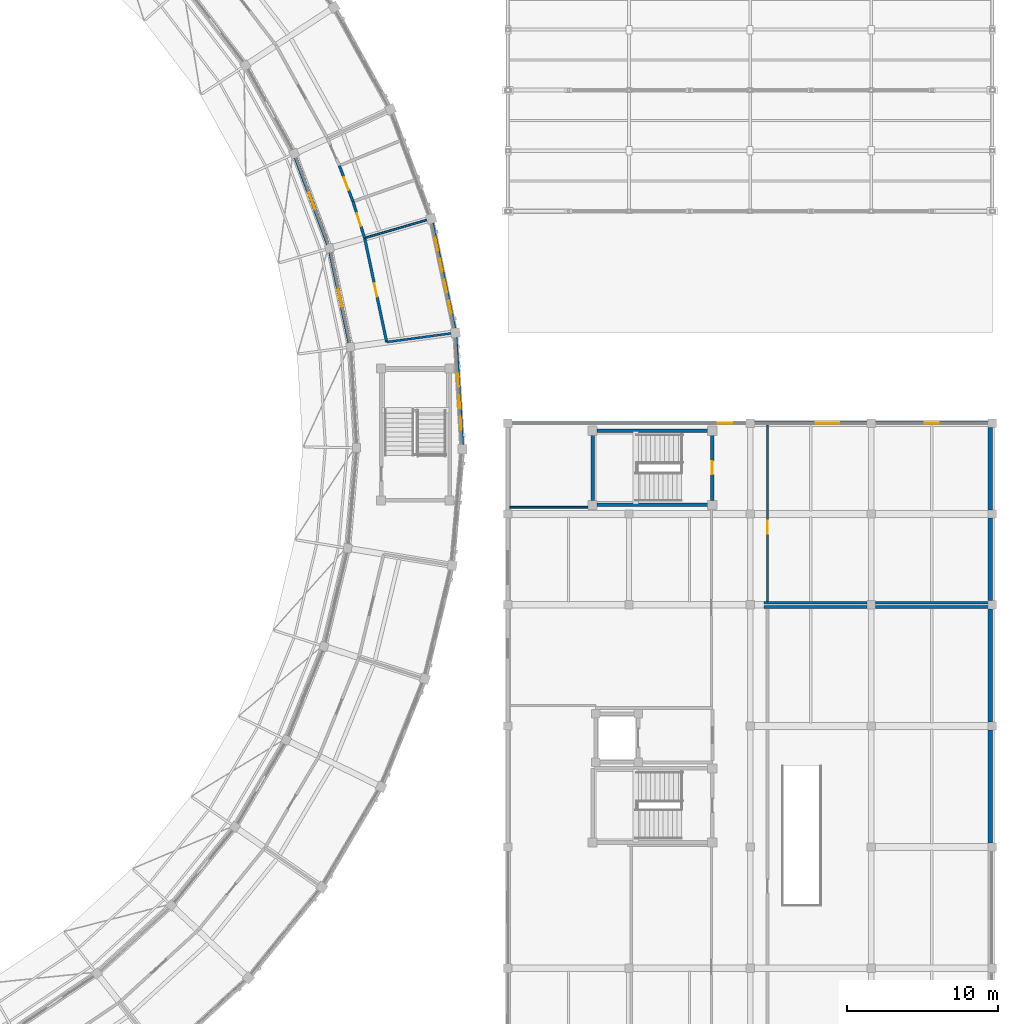
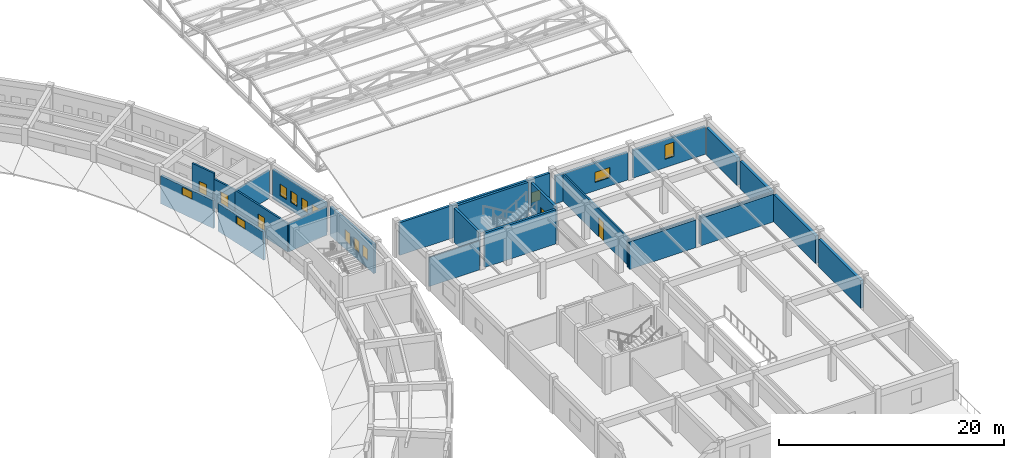
# One storey, part 92 of 112: 27 walls, 12 windows, 5 doors, 17 openings.
"""IFC4 building model written with IfcOpenShell, lengths in metres."""

from ifc_helpers import new_model, si_unit, direction, frame, frame_2d, origin, place, context, subcontext, project, spatial, rectangle, extrude, material, layer, layer_set, type_object, element, fill, save


model = new_model("IFC4")

# Units and contexts
model_context = context("Model", 3, precision=1e-05, world=origin(), true_north=direction((0.0, 1.0)))
body_context = subcontext(model_context, "Body", "Model", "MODEL_VIEW")
ifc_project = project(units=[si_unit("LENGTHUNIT", "METRE"), si_unit("AREAUNIT", "SQUARE_METRE"), si_unit("VOLUMEUNIT", "CUBIC_METRE"), si_unit("PLANEANGLEUNIT", "RADIAN"), si_unit("MASSUNIT", "GRAM", prefix="KILO")], contexts=[model_context])

# Site, building, storey
site_placement = place(None, origin())
site = spatial("IfcSite", under=ifc_project, at=site_placement, CompositionType="ELEMENT")
building_placement = place(site_placement, origin())
building = spatial("IfcBuilding", under=site, at=building_placement, Name="Celadon Cloister-Ring School", CompositionType="ELEMENT")
storey_placement = place(building_placement, frame((0.0, 0.0, 8.5)))
storey = spatial("IfcBuildingStorey", under=building, at=storey_placement, Name="L02", CompositionType="ELEMENT", Elevation=8.5)

# Wall, opening, window
ifc_material_1 = material(Name="Rendered concrete blockwork", Category="masonry")
ifc_layer_1 = layer(ifc_material_1, 0.239990234375)
ifc_layer_set_1 = layer_set([ifc_layer_1], Name="Rendered concrete blockwork")
wall_type_1 = type_object("IfcWallType", Name="WT-EX3", PredefinedType="SOLIDWALL", material=ifc_layer_set_1)
wall_1_placement = place(storey_placement, frame((131.534912109375, 65.31201171875, 0.0), z_axis=(0.0, 0.0, 1.0), x_axis=(-0.20720336534, 0.978297891949, 0.0)))
wall_1 = element("IfcWall", 1, at=wall_1_placement, inside=storey, type_object=wall_type_1, Name="Exterior Wall 0161", PredefinedType="SOLIDWALL", context=body_context, shape_type="SweptSolid", body=[
    extrude(rectangle(XDim=6.09521484375, YDim=0.239990234375, at=frame_2d((3.047607421875, 0.0))), origin(), (0.0, 0.0, 1.0), 3.050048828125),
])
opening_1_placement = place(wall_1_placement, frame((2.447998046875, 0.0, 2.050048828125)))
opening_1 = element("IfcOpeningElement", 2, at=opening_1_placement, cuts=wall_1, Name="Opening WN-49", PredefinedType="OPENING", context=body_context, shape_type="SweptSolid", body=[
    extrude(rectangle(XDim=1.199951171875, YDim=0.85009765625, at=frame_2d((0.60009765625, 0.425048828125))), frame((0.0, 0.1298828125, 0.0), z_axis=(0.0, -1.0, 0.0), x_axis=(1.0, 0.0, 0.0)), (0.0, 0.0, 1.0), 0.260009765625),
])
ifc_material_2 = material(Name="Tempered laminated insulating glass", Category="glass")
window_type_1 = type_object("IfcWindowType", Name="WN-49", PartitioningType="SINGLE_PANEL", PredefinedType="WINDOW", material=ifc_material_2)
window_1_placement = place(opening_1_placement, origin())
window_1 = element("IfcWindow", 3, at=window_1_placement, inside=storey, type_object=window_type_1, Name="Window 0416", OverallHeight=0.85009765625, OverallWidth=1.199951171875, PartitioningType="SINGLE_PANEL", PredefinedType="WINDOW", context=body_context, shape_type="SweptSolid", body=[
    extrude(rectangle(XDim=1.199951171875, YDim=0.85009765625, at=frame_2d((0.60009765625, 0.425048828125))), frame((0.0, 0.030029296875, 0.0), z_axis=(0.0, -1.0, 0.0), x_axis=(1.0, 0.0, 0.0)), (0.0, 0.0, 1.0), 0.06005859375),
])
fill(opening_1, window_1)

wall_2_placement = place(storey_placement, frame((130.113037109375, 71.823974609375, 0.0), z_axis=(0.0, 0.0, 1.0), x_axis=(-0.349489187494, 0.936940397157, 0.0)))
wall_2 = element("IfcWall", 4, at=wall_2_placement, inside=storey, type_object=wall_type_1, Name="Exterior Wall 0163", PredefinedType="SOLIDWALL", context=body_context, shape_type="SweptSolid", body=[
    extrude(rectangle(XDim=6.09228515625, YDim=0.239990234375, at=frame_2d((3.046142578125, 0.0))), origin(), (0.0, 0.0, 1.0), 3.050048828125),
])
opening_2_placement = place(wall_2_placement, frame((2.446044921875, 0.0, 2.050048828125)))
opening_2 = element("IfcOpeningElement", 5, at=opening_2_placement, cuts=wall_2, Name="Opening WN-49", PredefinedType="OPENING", context=body_context, shape_type="SweptSolid", body=[
    extrude(rectangle(XDim=1.199951171875, YDim=0.85009765625, at=frame_2d((0.60009765625, 0.425048828125))), frame((0.0, 0.1298828125, 0.0), z_axis=(0.0, -1.0, 0.0), x_axis=(1.0, 0.0, 0.0)), (0.0, 0.0, 1.0), 0.260009765625),
])
window_2_placement = place(opening_2_placement, origin())
window_2 = element("IfcWindow", 6, at=window_2_placement, inside=storey, type_object=window_type_1, Name="Window 0420", OverallHeight=0.85009765625, OverallWidth=1.199951171875, PartitioningType="SINGLE_PANEL", PredefinedType="WINDOW", context=body_context, shape_type="SweptSolid", body=[
    extrude(rectangle(XDim=1.199951171875, YDim=0.85009765625, at=frame_2d((0.60009765625, 0.425048828125))), frame((0.0, 0.030029296875, 0.0), z_axis=(0.0, -1.0, 0.0), x_axis=(1.0, 0.0, 0.0)), (0.0, 0.0, 1.0), 0.06005859375),
])
fill(opening_2, window_2)

# Wall
wall_3_placement = place(storey_placement, frame((142.277099609375, 60.0, 0.0), z_axis=(0.0, 0.0, 1.0), x_axis=(1.0, 0.0, 0.0)))
element("IfcWall", 7, at=wall_3_placement, inside=storey, type_object=wall_type_1, Name="Exterior Wall 0457", PredefinedType="SOLIDWALL", context=body_context, shape_type="SweptSolid", body=[
    extrude(rectangle(XDim=7.722900390625, YDim=0.239990234375, at=frame_2d((3.861328125, 0.0))), origin(), (0.0, 0.0, 1.0), 3.550048828125),
])

# Wall, opening, window
wall_4_placement = place(storey_placement, frame((150.0, 60.0, 0.0), z_axis=(0.0, 0.0, 1.0), x_axis=(1.0, 0.0, 0.0)))
wall_4 = element("IfcWall", 8, at=wall_4_placement, inside=storey, type_object=wall_type_1, Name="Exterior Wall 0458", PredefinedType="SOLIDWALL", context=body_context, shape_type="SweptSolid", body=[
    extrude(rectangle(XDim=7.722900390625, YDim=0.239990234375, at=frame_2d((3.861328125, 0.0))), origin(), (0.0, 0.0, 1.0), 3.550048828125),
])
opening_3_placement = place(wall_4_placement, frame((5.85791015625, 0.0, 0.89990234375)))
opening_3 = element("IfcOpeningElement", 9, at=opening_3_placement, cuts=wall_4, Name="Opening WN-02", PredefinedType="OPENING", context=body_context, shape_type="SweptSolid", body=[
    extrude(rectangle(XDim=0.949951171875, YDim=1.10009765625, at=frame_2d((0.47509765625, 0.550048828125))), frame((0.0, 0.1298828125, 0.0), z_axis=(0.0, -1.0, 0.0), x_axis=(1.0, 0.0, 0.0)), (0.0, 0.0, 1.0), 0.260009765625),
])
ifc_material_3 = material(Name="Tempered laminated insulating glass", Category="glass")
window_type_2 = type_object("IfcWindowType", Name="WN-02", PartitioningType="SINGLE_PANEL", PredefinedType="WINDOW", material=ifc_material_3)
window_3_placement = place(opening_3_placement, origin())
window_3 = element("IfcWindow", 10, at=window_3_placement, inside=storey, type_object=window_type_2, Name="Window 0983", OverallHeight=1.10009765625, OverallWidth=0.949951171875, PartitioningType="SINGLE_PANEL", PredefinedType="WINDOW", context=body_context, shape_type="SweptSolid", body=[
    extrude(rectangle(XDim=0.949951171875, YDim=1.10009765625, at=frame_2d((0.47509765625, 0.550048828125))), frame((0.0, 0.030029296875, 0.0), z_axis=(0.0, -1.0, 0.0), x_axis=(1.0, 0.0, 0.0)), (0.0, 0.0, 1.0), 0.06005859375),
])
fill(opening_3, window_3)

wall_5_placement = place(storey_placement, frame((158.277099609375, 60.0, 0.0), z_axis=(0.0, 0.0, 1.0), x_axis=(1.0, 0.0, 0.0)))
wall_5 = element("IfcWall", 11, at=wall_5_placement, inside=storey, type_object=wall_type_1, Name="Exterior Wall 0459", PredefinedType="SOLIDWALL", context=body_context, shape_type="SweptSolid", body=[
    extrude(rectangle(XDim=7.44580078125, YDim=0.239990234375, at=frame_2d((3.722900390625, 0.0))), origin(), (0.0, 0.0, 1.0), 3.001953125),
])
opening_4_placement = place(wall_5_placement, frame((4.06494140625, 0.0, 0.89990234375)))
opening_4 = element("IfcOpeningElement", 12, at=opening_4_placement, cuts=wall_5, Name="Opening WN-06", PredefinedType="OPENING", context=body_context, shape_type="SweptSolid", body=[
    extrude(rectangle(XDim=1.550048828125, YDim=1.10009765625, at=frame_2d((0.77490234375, 0.550048828125))), frame((0.0, 0.1298828125, 0.0), z_axis=(0.0, -1.0, 0.0), x_axis=(1.0, 0.0, 0.0)), (0.0, 0.0, 1.0), 0.260009765625),
])
ifc_material_4 = material(Name="Tempered laminated insulating glass", Category="glass")
window_type_3 = type_object("IfcWindowType", Name="WN-06", PartitioningType="DOUBLE_PANEL_VERTICAL", PredefinedType="WINDOW", material=ifc_material_4)
window_4_placement = place(opening_4_placement, origin())
window_4 = element("IfcWindow", 13, at=window_4_placement, inside=storey, type_object=window_type_3, Name="Window 0984", OverallHeight=1.10009765625, OverallWidth=1.550048828125, PartitioningType="SINGLE_PANEL", PredefinedType="WINDOW", context=body_context, shape_type="SweptSolid", body=[
    extrude(rectangle(XDim=1.550048828125, YDim=1.10009765625, at=frame_2d((0.77490234375, 0.550048828125))), frame((0.0, 0.030029296875, 0.0), z_axis=(0.0, -1.0, 0.0), x_axis=(1.0, 0.0, 0.0)), (0.0, 0.0, 1.0), 0.06005859375),
])
fill(opening_4, window_4)

wall_6_placement = place(storey_placement, frame((166.277099609375, 60.0, 0.0), z_axis=(0.0, 0.0, 1.0), x_axis=(1.0, 0.0, 0.0)))
wall_6 = element("IfcWall", 14, at=wall_6_placement, inside=storey, type_object=wall_type_1, Name="Exterior Wall 0460", PredefinedType="SOLIDWALL", context=body_context, shape_type="SweptSolid", body=[
    extrude(rectangle(XDim=7.44580078125, YDim=0.239990234375, at=frame_2d((3.722900390625, 0.0))), origin(), (0.0, 0.0, 1.0), 3.001953125),
])
opening_5_placement = place(wall_6_placement, frame((3.27294921875, 0.0, 0.89990234375)))
opening_5 = element("IfcOpeningElement", 15, at=opening_5_placement, cuts=wall_6, Name="Opening WN-31", PredefinedType="OPENING", context=body_context, shape_type="SweptSolid", body=[
    extrude(rectangle(XDim=0.89990234375, YDim=1.550048828125, at=frame_2d((0.449951171875, 0.77490234375))), frame((0.0, 0.1298828125, 0.0), z_axis=(0.0, -1.0, 0.0), x_axis=(1.0, 0.0, 0.0)), (0.0, 0.0, 1.0), 0.260009765625),
])
ifc_material_5 = material(Name="Tempered laminated insulating glass", Category="glass")
window_type_4 = type_object("IfcWindowType", Name="WN-31", PartitioningType="SINGLE_PANEL", PredefinedType="WINDOW", material=ifc_material_5)
window_5_placement = place(opening_5_placement, origin())
window_5 = element("IfcWindow", 16, at=window_5_placement, inside=storey, type_object=window_type_4, Name="Window 0985", OverallHeight=1.550048828125, OverallWidth=0.89990234375, PartitioningType="SINGLE_PANEL", PredefinedType="WINDOW", context=body_context, shape_type="SweptSolid", body=[
    extrude(rectangle(XDim=0.89990234375, YDim=1.550048828125, at=frame_2d((0.449951171875, 0.77490234375))), frame((0.0, 0.030029296875, 0.0), z_axis=(0.0, -1.0, 0.0), x_axis=(1.0, 0.0, 0.0)), (0.0, 0.0, 1.0), 0.06005859375),
])
fill(opening_5, window_5)

# Wall, openings, windows
ifc_material_6 = material(Name="Perforated terracotta clay brick masonry", Category="masonry")
ifc_layer_2 = layer(ifc_material_6, 0.219970703125)
ifc_layer_set_2 = layer_set([ifc_layer_2], Name="Perforated terracotta clay brick masonry")
wall_type_2 = type_object("IfcWallType", Name="WT-EX4", PredefinedType="SOLIDWALL", material=ifc_layer_set_2)
wall_7_placement = place(storey_placement, frame((138.550048828125, 65.660888671875, 0.0), z_axis=(0.0, 0.0, 1.0), x_axis=(0.060150575124, -0.998189314866, 0.0)))
wall_7 = element("IfcWall", 17, at=wall_7_placement, inside=storey, type_object=wall_type_2, Name="Exterior Wall 0158", PredefinedType="SOLIDWALL", context=body_context, shape_type="SweptSolid", body=[
    extrude(rectangle(XDim=7.082763671875, YDim=0.219970703125, at=frame_2d((3.54150390625, 0.0))), origin(), (0.0, 0.0, 1.0), 3.19189453125),
])
opening_6_placement = place(wall_7_placement, frame((2.407958984375, 0.0, 0.85009765625)))
opening_6 = element("IfcOpeningElement", 18, at=opening_6_placement, cuts=wall_7, Name="Opening WN-11", PredefinedType="OPENING", context=body_context, shape_type="SweptSolid", body=[
    extrude(rectangle(XDim=0.85009765625, YDim=1.25, at=frame_2d((0.425048828125, 0.625))), frame((0.0, 0.1201171875, 0.0), z_axis=(0.0, -1.0, 0.0), x_axis=(1.0, 0.0, 0.0)), (0.0, 0.0, 1.0), 0.239990234375),
])
opening_7_placement = place(wall_7_placement, frame((3.824951171875, 0.0, 0.85009765625)))
opening_7 = element("IfcOpeningElement", 19, at=opening_7_placement, cuts=wall_7, Name="Opening WN-11", PredefinedType="OPENING", context=body_context, shape_type="SweptSolid", body=[
    extrude(rectangle(XDim=0.85009765625, YDim=1.25, at=frame_2d((0.425048828125, 0.625))), frame((0.0, 0.1201171875, 0.0), z_axis=(0.0, -1.0, 0.0), x_axis=(1.0, 0.0, 0.0)), (0.0, 0.0, 1.0), 0.239990234375),
])
opening_8_placement = place(wall_7_placement, frame((5.240966796875, 0.0, 0.85009765625)))
opening_8 = element("IfcOpeningElement", 20, at=opening_8_placement, cuts=wall_7, Name="Opening WN-11", PredefinedType="OPENING", context=body_context, shape_type="SweptSolid", body=[
    extrude(rectangle(XDim=0.85009765625, YDim=1.25, at=frame_2d((0.425048828125, 0.625))), frame((0.0, 0.1201171875, 0.0), z_axis=(0.0, -1.0, 0.0), x_axis=(1.0, 0.0, 0.0)), (0.0, 0.0, 1.0), 0.239990234375),
])
ifc_material_7 = material(Name="Tempered laminated insulating glass", Category="glass")
window_type_5 = type_object("IfcWindowType", Name="WN-11", PartitioningType="SINGLE_PANEL", PredefinedType="WINDOW", material=ifc_material_7)
window_6_placement = place(opening_6_placement, origin())
window_6 = element("IfcWindow", 21, at=window_6_placement, inside=storey, type_object=window_type_5, Name="Window 0408", OverallHeight=1.25, OverallWidth=0.85009765625, PartitioningType="SINGLE_PANEL", PredefinedType="WINDOW", context=body_context, shape_type="SweptSolid", body=[
    extrude(rectangle(XDim=0.85009765625, YDim=1.25, at=frame_2d((0.425048828125, 0.625))), frame((0.0, 0.030029296875, 0.0), z_axis=(0.0, -1.0, 0.0), x_axis=(1.0, 0.0, 0.0)), (0.0, 0.0, 1.0), 0.06005859375),
])
fill(opening_6, window_6)
window_7_placement = place(opening_7_placement, origin())
window_7 = element("IfcWindow", 22, at=window_7_placement, inside=storey, type_object=window_type_5, Name="Window 0409", OverallHeight=1.25, OverallWidth=0.85009765625, PartitioningType="SINGLE_PANEL", PredefinedType="WINDOW", context=body_context, shape_type="SweptSolid", body=[
    extrude(rectangle(XDim=0.85009765625, YDim=1.25, at=frame_2d((0.425048828125, 0.625))), frame((0.0, 0.030029296875, 0.0), z_axis=(0.0, -1.0, 0.0), x_axis=(1.0, 0.0, 0.0)), (0.0, 0.0, 1.0), 0.06005859375),
])
fill(opening_7, window_7)
window_8_placement = place(opening_8_placement, origin())
window_8 = element("IfcWindow", 23, at=window_8_placement, inside=storey, type_object=window_type_5, Name="Window 0410", OverallHeight=1.25, OverallWidth=0.85009765625, PartitioningType="SINGLE_PANEL", PredefinedType="WINDOW", context=body_context, shape_type="SweptSolid", body=[
    extrude(rectangle(XDim=0.85009765625, YDim=1.25, at=frame_2d((0.425048828125, 0.625))), frame((0.0, 0.030029296875, 0.0), z_axis=(0.0, -1.0, 0.0), x_axis=(1.0, 0.0, 0.0)), (0.0, 0.0, 1.0), 0.06005859375),
])
fill(opening_8, window_8)

wall_8_placement = place(storey_placement, frame((136.9990234375, 73.2041015625, 0.0), z_axis=(0.0, 0.0, 1.0), x_axis=(0.207259317734, -0.978286039567, 0.0)))
wall_8 = element("IfcWall", 24, at=wall_8_placement, inside=storey, type_object=wall_type_2, Name="Exterior Wall 0160", PredefinedType="SOLIDWALL", context=body_context, shape_type="SweptSolid", body=[
    extrude(rectangle(XDim=7.0830078125, YDim=0.219970703125, at=frame_2d((3.54150390625, 0.0))), origin(), (0.0, 0.0, 1.0), 3.19189453125),
])
opening_9_placement = place(wall_8_placement, frame((0.991943359375, 0.0, 0.85009765625)))
opening_9 = element("IfcOpeningElement", 25, at=opening_9_placement, cuts=wall_8, Name="Opening WN-11", PredefinedType="OPENING", context=body_context, shape_type="SweptSolid", body=[
    extrude(rectangle(XDim=0.85009765625, YDim=1.25, at=frame_2d((0.425048828125, 0.625))), frame((0.0, 0.1201171875, 0.0), z_axis=(0.0, -1.0, 0.0), x_axis=(1.0, 0.0, 0.0)), (0.0, 0.0, 1.0), 0.239990234375),
])
opening_10_placement = place(wall_8_placement, frame((2.407958984375, 0.0, 0.85009765625)))
opening_10 = element("IfcOpeningElement", 26, at=opening_10_placement, cuts=wall_8, Name="Opening WN-11", PredefinedType="OPENING", context=body_context, shape_type="SweptSolid", body=[
    extrude(rectangle(XDim=0.85009765625, YDim=1.25, at=frame_2d((0.425048828125, 0.625))), frame((0.0, 0.1201171875, 0.0), z_axis=(0.0, -1.0, 0.0), x_axis=(1.0, 0.0, 0.0)), (0.0, 0.0, 1.0), 0.239990234375),
])
opening_11_placement = place(wall_8_placement, frame((3.824951171875, 0.0, 0.85009765625)))
opening_11 = element("IfcOpeningElement", 27, at=opening_11_placement, cuts=wall_8, Name="Opening WN-11", PredefinedType="OPENING", context=body_context, shape_type="SweptSolid", body=[
    extrude(rectangle(XDim=0.85009765625, YDim=1.25, at=frame_2d((0.425048828125, 0.625))), frame((0.0, 0.1201171875, 0.0), z_axis=(0.0, -1.0, 0.0), x_axis=(1.0, 0.0, 0.0)), (0.0, 0.0, 1.0), 0.239990234375),
])
opening_12_placement = place(wall_8_placement, frame((5.240966796875, 0.0, 0.85009765625)))
opening_12 = element("IfcOpeningElement", 28, at=opening_12_placement, cuts=wall_8, Name="Opening WN-11", PredefinedType="OPENING", context=body_context, shape_type="SweptSolid", body=[
    extrude(rectangle(XDim=0.85009765625, YDim=1.25, at=frame_2d((0.425048828125, 0.625))), frame((0.0, 0.1201171875, 0.0), z_axis=(0.0, -1.0, 0.0), x_axis=(1.0, 0.0, 0.0)), (0.0, 0.0, 1.0), 0.239990234375),
])
window_9_placement = place(opening_9_placement, origin())
window_9 = element("IfcWindow", 29, at=window_9_placement, inside=storey, type_object=window_type_5, Name="Window 0412", OverallHeight=1.25, OverallWidth=0.85009765625, PartitioningType="SINGLE_PANEL", PredefinedType="WINDOW", context=body_context, shape_type="SweptSolid", body=[
    extrude(rectangle(XDim=0.85009765625, YDim=1.25, at=frame_2d((0.425048828125, 0.625))), frame((0.0, 0.030029296875, 0.0), z_axis=(0.0, -1.0, 0.0), x_axis=(1.0, 0.0, 0.0)), (0.0, 0.0, 1.0), 0.06005859375),
])
fill(opening_9, window_9)
window_10_placement = place(opening_10_placement, origin())
window_10 = element("IfcWindow", 30, at=window_10_placement, inside=storey, type_object=window_type_5, Name="Window 0413", OverallHeight=1.25, OverallWidth=0.85009765625, PartitioningType="SINGLE_PANEL", PredefinedType="WINDOW", context=body_context, shape_type="SweptSolid", body=[
    extrude(rectangle(XDim=0.85009765625, YDim=1.25, at=frame_2d((0.425048828125, 0.625))), frame((0.0, 0.030029296875, 0.0), z_axis=(0.0, -1.0, 0.0), x_axis=(1.0, 0.0, 0.0)), (0.0, 0.0, 1.0), 0.06005859375),
])
fill(opening_10, window_10)
window_11_placement = place(opening_11_placement, origin())
window_11 = element("IfcWindow", 31, at=window_11_placement, inside=storey, type_object=window_type_5, Name="Window 0414", OverallHeight=1.25, OverallWidth=0.85009765625, PartitioningType="SINGLE_PANEL", PredefinedType="WINDOW", context=body_context, shape_type="SweptSolid", body=[
    extrude(rectangle(XDim=0.85009765625, YDim=1.25, at=frame_2d((0.425048828125, 0.625))), frame((0.0, 0.030029296875, 0.0), z_axis=(0.0, -1.0, 0.0), x_axis=(1.0, 0.0, 0.0)), (0.0, 0.0, 1.0), 0.06005859375),
])
fill(opening_11, window_11)
window_12_placement = place(opening_12_placement, origin())
window_12 = element("IfcWindow", 32, at=window_12_placement, inside=storey, type_object=window_type_5, Name="Window 0415", OverallHeight=1.25, OverallWidth=0.85009765625, PartitioningType="SINGLE_PANEL", PredefinedType="WINDOW", context=body_context, shape_type="SweptSolid", body=[
    extrude(rectangle(XDim=0.85009765625, YDim=1.25, at=frame_2d((0.425048828125, 0.625))), frame((0.0, 0.030029296875, 0.0), z_axis=(0.0, -1.0, 0.0), x_axis=(1.0, 0.0, 0.0)), (0.0, 0.0, 1.0), 0.06005859375),
])
fill(opening_12, window_12)

# Walls
ifc_material_8 = material(Name="Concrete C40/50", Category="concrete")
ifc_layer_3 = layer(ifc_material_8, 0.300048828125)
ifc_layer_set_3 = layer_set([ifc_layer_3], Name="Concrete C40/50")
wall_type_3 = type_object("IfcWallType", Name="WT-FW1", PredefinedType="SHEAR", material=ifc_layer_set_3)
for number, where, z_axis, x_axis, name in (
    (33, (173.85009765625, 59.722900390625, 0.0), (0.0, 0.0, 1.0), (0.0, -1.0, 0.0), "Exterior Wall 0461"),
    (34, (173.85009765625, 53.722900390625, 0.0), (0.0, 0.0, 1.0), (0.0, -1.0, 0.0), "Exterior Wall 0462"),
):
    element("IfcWall", number, at=place(storey_placement, frame(where, z_axis=z_axis, x_axis=x_axis)), inside=storey, type_object=wall_type_3, Name=name, PredefinedType="SHEAR", context=body_context, shape_type="SweptSolid", body=[
        extrude(rectangle(XDim=5.44580078125, YDim=0.300048828125, at=frame_2d((2.722900390625, 0.0))), origin(), (0.0, 0.0, 1.0), 3.001953125),
    ])
for number, where, z_axis, x_axis, name in (
    (35, (173.85009765625, 47.722900390625, 0.0), (0.0, 0.0, 1.0), (0.0, -1.0, 0.0), "Exterior Wall 0463"),
    (36, (173.85009765625, 39.722900390625, 0.0), (0.0, 0.0, 1.0), (0.0, -1.0, 0.0), "Exterior Wall 0464"),
):
    element("IfcWall", number, at=place(storey_placement, frame(where, z_axis=z_axis, x_axis=x_axis)), inside=storey, type_object=wall_type_3, Name=name, PredefinedType="SHEAR", context=body_context, shape_type="SweptSolid", body=[
        extrude(rectangle(XDim=7.44580078125, YDim=0.300048828125, at=frame_2d((3.722900390625, 0.0))), origin(), (0.0, 0.0, 1.0), 3.001953125),
    ])

# Wall, opening, door
ifc_material_9 = material(Name="Plastered hollow concrete masonry", Category="masonry")
ifc_layer_4 = layer(ifc_material_9, 0.179931640625)
ifc_layer_set_4 = layer_set([ifc_layer_4], Name="Plastered hollow concrete masonry")
wall_type_4 = type_object("IfcWallType", Name="WT-PT2", PredefinedType="PARTITIONING", material=ifc_layer_set_4)
wall_9_placement = place(storey_placement, frame((133.991943359375, 65.35693359375, 0.0), z_axis=(0.0, 0.0, 1.0), x_axis=(-0.207083965241, 0.978323173261, 0.0)))
wall_9 = element("IfcWall", 37, at=wall_9_placement, inside=storey, type_object=wall_type_4, Name="Interior Wall 0583", PredefinedType="PARTITIONING", context=body_context, shape_type="SweptSolid", body=[
    extrude(rectangle(XDim=7.025390625, YDim=0.179931640625, at=frame_2d((3.5126953125, 0.0))), origin(), (0.0, 0.0, 1.0), 3.092041015625),
])
opening_13_placement = place(wall_9_placement, frame((3.072998046875, 0.0, 0.0)))
opening_13 = element("IfcOpeningElement", 38, at=opening_13_placement, cuts=wall_9, Name="Opening D-0198", PredefinedType="OPENING", context=body_context, shape_type="SweptSolid", body=[
    extrude(rectangle(XDim=0.8798828125, YDim=2.10009765625, at=frame_2d((0.43994140625, 1.050048828125))), frame((0.0, 0.10009765625, 0.0), z_axis=(0.0, -1.0, 0.0), x_axis=(1.0, 0.0, 0.0)), (0.0, 0.0, 1.0), 0.199951171875),
])
ifc_material_10 = material(Name="Solid-core fire-rated hardwood leaf", Category="wood")
door_type = type_object("IfcDoorType", Name="DT-01", OperationType="NOTDEFINED", PredefinedType="DOOR", material=ifc_material_10)
door_1_placement = place(opening_13_placement, origin())
door_1 = element("IfcDoor", 39, at=door_1_placement, inside=storey, type_object=door_type, Name="Door D-0198", OperationType="SINGLE_SWING_RIGHT", OverallHeight=2.10009765625, OverallWidth=0.8798828125, PredefinedType="DOOR", context=body_context, shape_type="SweptSolid", body=[
    extrude(rectangle(XDim=0.8798828125, YDim=2.10009765625, at=frame_2d((0.43994140625, 1.050048828125))), frame((0.0, 0.02490234375, 0.0), z_axis=(0.0, -1.0, 0.0), x_axis=(1.0, 0.0, 0.0)), (0.0, 0.0, 1.0), 0.050048828125),
])
fill(opening_13, door_1)

wall_10_placement = place(storey_placement, frame((132.537109375, 72.22998046875, 0.0), z_axis=(0.0, 0.0, 1.0), x_axis=(-0.304572752122, 0.952489075352, 0.0)))
wall_10 = element("IfcWall", 40, at=wall_10_placement, inside=storey, type_object=wall_type_4, Name="Interior Wall 0584", PredefinedType="PARTITIONING", context=body_context, shape_type="SweptSolid", body=[
    extrude(rectangle(XDim=2.531494140625, YDim=0.179931640625, at=frame_2d((1.265625, 0.0))), origin(), (0.0, 0.0, 1.0), 3.092041015625),
])
opening_14_placement = place(wall_10_placement, frame((0.825927734375, 0.0, 0.0)))
opening_14 = element("IfcOpeningElement", 41, at=opening_14_placement, cuts=wall_10, Name="Opening D-0199", PredefinedType="OPENING", context=body_context, shape_type="SweptSolid", body=[
    extrude(rectangle(XDim=0.8798828125, YDim=2.10009765625, at=frame_2d((0.43994140625, 1.050048828125))), frame((0.0, 0.10009765625, 0.0), z_axis=(0.0, -1.0, 0.0), x_axis=(1.0, 0.0, 0.0)), (0.0, 0.0, 1.0), 0.199951171875),
])
door_2_placement = place(opening_14_placement, origin())
door_2 = element("IfcDoor", 42, at=door_2_placement, inside=storey, type_object=door_type, Name="Door D-0199", OperationType="SINGLE_SWING_LEFT", OverallHeight=2.10009765625, OverallWidth=0.8798828125, PredefinedType="DOOR", context=body_context, shape_type="SweptSolid", body=[
    extrude(rectangle(XDim=0.8798828125, YDim=2.10009765625, at=frame_2d((0.43994140625, 1.050048828125))), frame((0.0, 0.02490234375, 0.0), z_axis=(0.0, -1.0, 0.0), x_axis=(1.0, 0.0, 0.0)), (0.0, 0.0, 1.0), 0.050048828125),
])
fill(opening_14, door_2)

wall_11_placement = place(storey_placement, frame((131.76611328125, 74.64111328125, 0.0), z_axis=(0.0, 0.0, 1.0), x_axis=(-0.354915954845, 0.934898211035, 0.0)))
wall_11 = element("IfcWall", 43, at=wall_11_placement, inside=storey, type_object=wall_type_4, Name="Interior Wall 0585", PredefinedType="PARTITIONING", context=body_context, shape_type="SweptSolid", body=[
    extrude(rectangle(XDim=2.53076171875, YDim=0.179931640625, at=frame_2d((1.265380859375, 0.0))), origin(), (0.0, 0.0, 1.0), 3.699951171875),
])
opening_15_placement = place(wall_11_placement, frame((0.824951171875, 0.0, 0.0)))
opening_15 = element("IfcOpeningElement", 44, at=opening_15_placement, cuts=wall_11, Name="Opening D-0200", PredefinedType="OPENING", context=body_context, shape_type="SweptSolid", body=[
    extrude(rectangle(XDim=0.8798828125, YDim=2.10009765625, at=frame_2d((0.43994140625, 1.050048828125))), frame((0.0, 0.10009765625, 0.0), z_axis=(0.0, -1.0, 0.0), x_axis=(1.0, 0.0, 0.0)), (0.0, 0.0, 1.0), 0.199951171875),
])
door_3_placement = place(opening_15_placement, origin())
door_3 = element("IfcDoor", 45, at=door_3_placement, inside=storey, type_object=door_type, Name="Door D-0200", OperationType="SINGLE_SWING_RIGHT", OverallHeight=2.10009765625, OverallWidth=0.8798828125, PredefinedType="DOOR", context=body_context, shape_type="SweptSolid", body=[
    extrude(rectangle(XDim=0.8798828125, YDim=2.10009765625, at=frame_2d((0.43994140625, 1.050048828125))), frame((0.0, 0.02490234375, 0.0), z_axis=(0.0, -1.0, 0.0), x_axis=(1.0, 0.0, 0.0)), (0.0, 0.0, 1.0), 0.050048828125),
])
fill(opening_15, door_3)

# Walls
wall_12_placement = place(storey_placement, frame((158.909912109375, 47.85009765625, 0.0), z_axis=(0.0, 0.0, 1.0), x_axis=(1.0, 0.0, 0.0)))
element("IfcWall", 46, at=wall_12_placement, inside=storey, type_object=wall_type_4, Name="Interior Wall 1016", PredefinedType="PARTITIONING", context=body_context, shape_type="SweptSolid", body=[
    extrude(rectangle(XDim=6.822998046875, YDim=0.179931640625, at=frame_2d((3.41162109375, 0.0))), origin(), (0.0, 0.0, 1.0), 3.001953125),
])
wall_13_placement = place(storey_placement, frame((166.26708984375, 47.85009765625, 0.0), z_axis=(0.0, 0.0, 1.0), x_axis=(1.0, 0.0, 0.0)))
element("IfcWall", 47, at=wall_13_placement, inside=storey, type_object=wall_type_4, Name="Interior Wall 1017", PredefinedType="PARTITIONING", context=body_context, shape_type="SweptSolid", body=[
    extrude(rectangle(XDim=7.4658203125, YDim=0.179931640625, at=frame_2d((3.73291015625, 0.0))), origin(), (0.0, 0.0, 1.0), 3.001953125),
])
ifc_material_11 = material(Name="Plastered hollow concrete masonry", Category="masonry")
ifc_layer_5 = layer(ifc_material_11, 0.159912109375)
ifc_layer_set_5 = layer_set([ifc_layer_5], Name="Plastered hollow concrete masonry")
wall_type_5 = type_object("IfcWallType", Name="WT-PT3", PredefinedType="PARTITIONING", material=ifc_layer_set_5)
wall_14_placement = place(storey_placement, frame((173.73291015625, 48.14990234375, 0.0), z_axis=(0.0, 0.0, 1.0), x_axis=(-1.0, 0.0, 0.0)))
element("IfcWall", 48, at=wall_14_placement, inside=storey, type_object=wall_type_5, Name="Interior Wall 1019", PredefinedType="PARTITIONING", context=body_context, shape_type="SweptSolid", body=[
    extrude(rectangle(XDim=7.4658203125, YDim=0.159912109375, at=frame_2d((3.73291015625, 0.0))), origin(), (0.0, 0.0, 1.0), 3.001953125),
])
wall_15_placement = place(storey_placement, frame((165.73291015625, 48.14990234375, 0.0), z_axis=(0.0, 0.0, 1.0), x_axis=(-1.0, 0.0, 0.0)))
element("IfcWall", 49, at=wall_15_placement, inside=storey, type_object=wall_type_5, Name="Interior Wall 1020", PredefinedType="PARTITIONING", context=body_context, shape_type="SweptSolid", body=[
    extrude(rectangle(XDim=6.822998046875, YDim=0.159912109375, at=frame_2d((3.41162109375, 0.0))), origin(), (0.0, 0.0, 1.0), 3.001953125),
])

# Wall, opening, door
wall_16_placement = place(storey_placement, frame((159.14990234375, 48.23291015625, 0.0), z_axis=(0.0, 0.0, 1.0), x_axis=(0.0, 1.0, 0.0)))
wall_16 = element("IfcWall", 50, at=wall_16_placement, inside=storey, type_object=wall_type_5, Name="Interior Wall 1021", PredefinedType="PARTITIONING", context=body_context, shape_type="SweptSolid", body=[
    extrude(rectangle(XDim=11.64404296875, YDim=0.159912109375, at=frame_2d((5.822021484375, 0.0))), origin(), (0.0, 0.0, 1.0), 3.001953125),
])
opening_16_placement = place(wall_16_placement, frame((4.449951171875, 0.0, 0.0)))
opening_16 = element("IfcOpeningElement", 51, at=opening_16_placement, cuts=wall_16, Name="Opening D-0366", PredefinedType="OPENING", context=body_context, shape_type="SweptSolid", body=[
    extrude(rectangle(XDim=0.8798828125, YDim=2.10009765625, at=frame_2d((0.43994140625, 1.050048828125))), frame((0.0, 0.08984375, 0.0), z_axis=(0.0, -1.0, 0.0), x_axis=(1.0, 0.0, 0.0)), (0.0, 0.0, 1.0), 0.179931640625),
])
door_4_placement = place(opening_16_placement, origin())
door_4 = element("IfcDoor", 52, at=door_4_placement, inside=storey, type_object=door_type, Name="Door D-0366", OperationType="SINGLE_SWING_RIGHT", OverallHeight=2.10009765625, OverallWidth=0.8798828125, PredefinedType="DOOR", context=body_context, shape_type="SweptSolid", body=[
    extrude(rectangle(XDim=0.8798828125, YDim=2.10009765625, at=frame_2d((0.43994140625, 1.050048828125))), frame((0.0, 0.02490234375, 0.0), z_axis=(0.0, -1.0, 0.0), x_axis=(1.0, 0.0, 0.0)), (0.0, 0.0, 1.0), 0.050048828125),
])
fill(opening_16, door_4)

# Walls
ifc_material_12 = material(Name="Acoustic mineral-wool drywall partition")
ifc_layer_6 = layer(ifc_material_12, 0.139892578125)
ifc_layer_set_6 = layer_set([ifc_layer_6], Name="Acoustic mineral-wool drywall partition")
wall_type_6 = type_object("IfcWallType", Name="WT-PT4", PredefinedType="PARTITIONING", material=ifc_layer_set_6)
wall_17_placement = place(storey_placement, frame((133.991943359375, 65.35693359375, 0.0), z_axis=(0.0, 0.0, 1.0), x_axis=(0.990973022603, 0.134061435445, 0.0)))
element("IfcWall", 53, at=wall_17_placement, inside=storey, type_object=wall_type_6, Name="Interior Wall 0552", PredefinedType="PARTITIONING", context=body_context, shape_type="SweptSolid", body=[
    extrude(rectangle(XDim=4.288818359375, YDim=0.139892578125, at=frame_2d((2.14453125, 0.0))), origin(), (0.0, 0.0, 1.0), 3.092041015625),
])
ifc_material_13 = material(Name="Acoustic mineral-wool drywall partition")
ifc_layer_7 = layer(ifc_material_13, 0.1201171875)
ifc_layer_set_7 = layer_set([ifc_layer_7], Name="Acoustic mineral-wool drywall partition")
wall_type_7 = type_object("IfcWallType", Name="WT-PT5", PredefinedType="PARTITIONING", material=ifc_layer_set_7)
wall_18_placement = place(storey_placement, frame((132.537109375, 72.22998046875, 0.0), z_axis=(0.0, 0.0, 1.0), x_axis=(0.96025274504, 0.279131986063, 0.0)))
element("IfcWall", 54, at=wall_18_placement, inside=storey, type_object=wall_type_7, Name="Interior Wall 0553", PredefinedType="PARTITIONING", context=body_context, shape_type="SweptSolid", body=[
    extrude(rectangle(XDim=4.288330078125, YDim=0.1201171875, at=frame_2d((2.14404296875, 0.0))), origin(), (0.0, 0.0, 1.0), 3.092041015625),
])
wall_19_placement = place(storey_placement, frame((142.123046875, 54.449951171875, 0.0), z_axis=(0.0, 0.0, 1.0), x_axis=(1.0, 0.0, 0.0)))
element("IfcWall", 55, at=wall_19_placement, inside=storey, type_object=wall_type_7, Name="Interior Wall 1026", PredefinedType="PARTITIONING", context=body_context, shape_type="SweptSolid", body=[
    extrude(rectangle(XDim=5.18505859375, YDim=0.1201171875, at=frame_2d((2.592529296875, 0.0))), origin(), (0.0, 0.0, 1.0), 3.152099609375),
])
ifc_material_14 = material(Name="Concrete C40/50", Category="concrete")
ifc_layer_8 = layer(ifc_material_14, 0.239990234375)
ifc_layer_set_8 = layer_set([ifc_layer_8], Name="Concrete C40/50")
wall_type_8 = type_object("IfcWallType", Name="WT-SH1", PredefinedType="SHEAR", material=ifc_layer_set_8)
wall_20_placement = place(storey_placement, frame((147.60009765625, 54.89208984375, 0.0), z_axis=(0.0, 0.0, 1.0), x_axis=(0.0, 1.0, 0.0)))
element("IfcWall", 56, at=wall_20_placement, inside=storey, type_object=wall_type_8, Name="Interior Wall 0153", PredefinedType="SHEAR", context=body_context, shape_type="SweptSolid", body=[
    extrude(rectangle(XDim=4.31591796875, YDim=0.239990234375, at=frame_2d((2.157958984375, 0.0))), origin(), (0.0, 0.0, 1.0), 3.739990234375),
])

# Wall, opening, door
wall_21_placement = place(storey_placement, frame((155.5, 59.2080078125, 0.0), z_axis=(0.0, 0.0, 1.0), x_axis=(0.0, -1.0, 0.0)))
wall_21 = element("IfcWall", 57, at=wall_21_placement, inside=storey, type_object=wall_type_8, Name="Interior Wall 0154", PredefinedType="SHEAR", context=body_context, shape_type="SweptSolid", body=[
    extrude(rectangle(XDim=4.31591796875, YDim=0.239990234375, at=frame_2d((2.157958984375, 0.0))), origin(), (0.0, 0.0, 1.0), 3.739990234375),
])
opening_17_placement = place(wall_21_placement, frame((1.718017578125, 0.0, 0.0)))
opening_17 = element("IfcOpeningElement", 58, at=opening_17_placement, cuts=wall_21, Name="Opening D-0071", PredefinedType="OPENING", context=body_context, shape_type="SweptSolid", body=[
    extrude(rectangle(XDim=0.8798828125, YDim=2.10009765625, at=frame_2d((0.43994140625, 1.050048828125))), frame((0.0, 0.1298828125, 0.0), z_axis=(0.0, -1.0, 0.0), x_axis=(1.0, 0.0, 0.0)), (0.0, 0.0, 1.0), 0.260009765625),
])
door_5_placement = place(opening_17_placement, origin())
door_5 = element("IfcDoor", 59, at=door_5_placement, inside=storey, type_object=door_type, Name="Door D-0071", OperationType="SINGLE_SWING_LEFT", OverallHeight=2.10009765625, OverallWidth=0.8798828125, PredefinedType="DOOR", context=body_context, shape_type="SweptSolid", body=[
    extrude(rectangle(XDim=0.8798828125, YDim=2.10009765625, at=frame_2d((0.43994140625, 1.050048828125))), frame((0.0, 0.02490234375, 0.0), z_axis=(0.0, -1.0, 0.0), x_axis=(1.0, 0.0, 0.0)), (0.0, 0.0, 1.0), 0.050048828125),
])
fill(opening_17, door_5)

# Walls
for number, where, z_axis, x_axis, name in (
    (60, (155.2080078125, 54.60009765625, 0.0), (0.0, 0.0, 1.0), (-1.0, 0.0, 0.0), "Interior Wall 0155"),
    (61, (155.2080078125, 59.5, 0.0), (0.0, 0.0, 1.0), (-1.0, 0.0, 0.0), "Interior Wall 0156"),
):
    element("IfcWall", number, at=place(storey_placement, frame(where, z_axis=z_axis, x_axis=x_axis)), inside=storey, type_object=wall_type_8, Name=name, PredefinedType="SHEAR", context=body_context, shape_type="SweptSolid", body=[
        extrude(rectangle(XDim=7.31591796875, YDim=0.239990234375, at=frame_2d((3.657958984375, 0.0))), origin(), (0.0, 0.0, 1.0), 3.739990234375),
    ])

save(model, "model.ifc")
